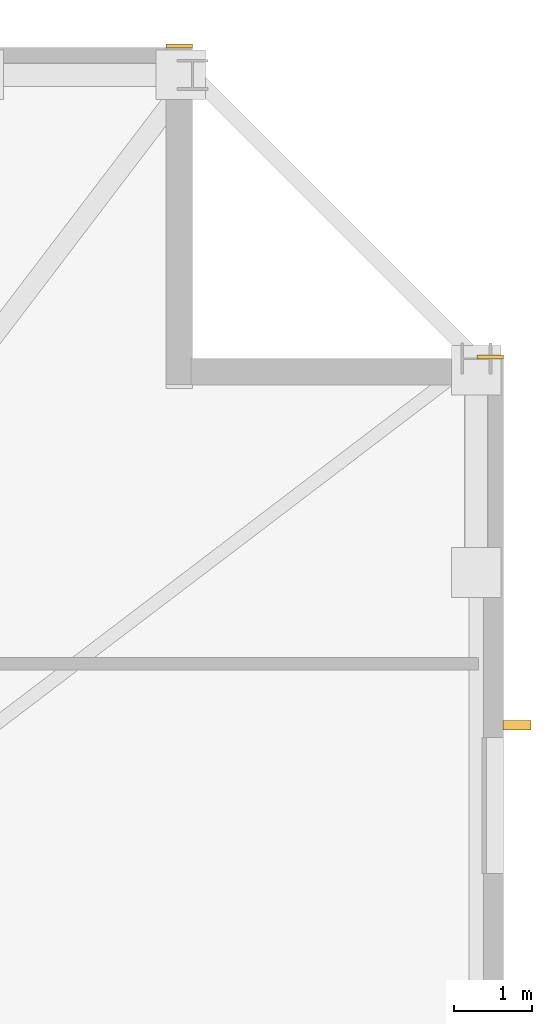
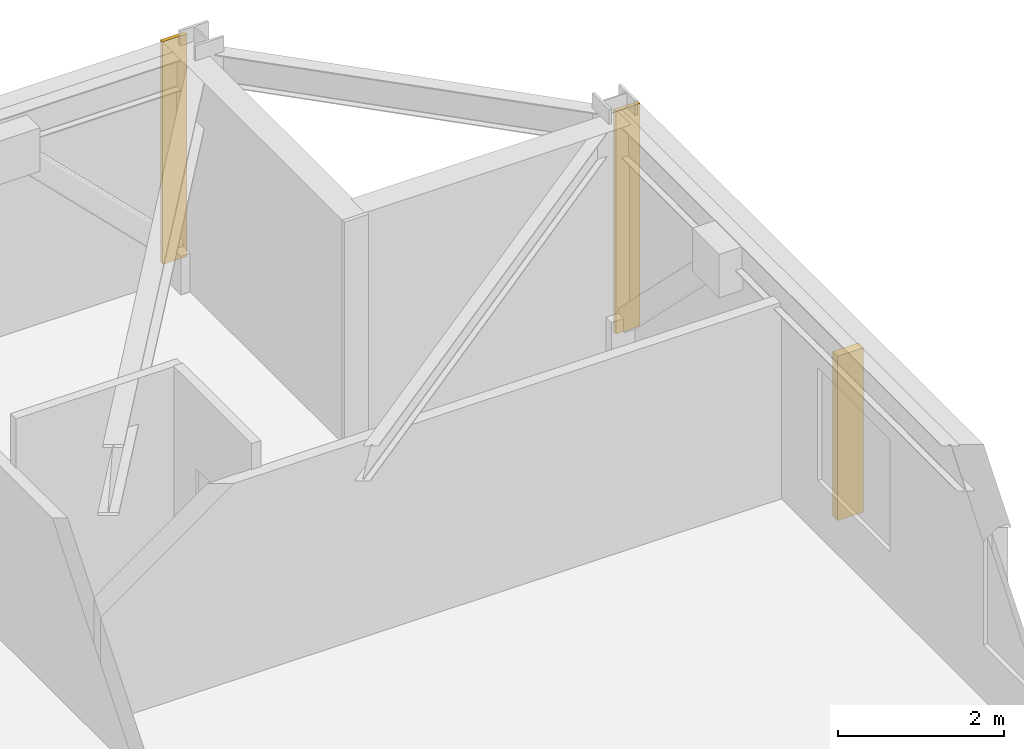
# One storey, part 11 of 11: 2 coverings, 1 shading device.
"""IFC4 building model written with IfcOpenShell, lengths in metres."""

from ifc_helpers import new_model, si_unit, direction, frame, frame_2d, origin, origin_2d, place, context, subcontext, project, spatial, rectangle, extrude, material, layer, layer_set, type_object, element, save


model = new_model("IFC4")

# Units and contexts
model_context = context("Model", 3, precision=1e-05, world=origin(), true_north=direction((0.0, 1.0)))
body_context = subcontext(model_context, "Body", "Model", "MODEL_VIEW")
ifc_project = project(units=[si_unit("LENGTHUNIT", "METRE"), si_unit("AREAUNIT", "SQUARE_METRE"), si_unit("VOLUMEUNIT", "CUBIC_METRE"), si_unit("PLANEANGLEUNIT", "RADIAN"), si_unit("MASSUNIT", "GRAM", prefix="KILO")], contexts=[model_context])

# Site, building, storey
site_placement = place(None, origin())
site = spatial("IfcSite", under=ifc_project, at=site_placement, CompositionType="ELEMENT")
building_placement = place(site_placement, origin())
building = spatial("IfcBuilding", under=site, at=building_placement, Name="Cairnveth Concourse Tower", CompositionType="ELEMENT")
storey_placement = place(building_placement, frame((0.0, 0.0, 172.5)))
storey = spatial("IfcBuildingStorey", under=building, at=storey_placement, Name="L47", CompositionType="ELEMENT", Elevation=172.5)

# Coverings
ifc_material_1 = material(Name="Dressed Melbourne Bluestone Cladding", Category="masonry")
ifc_layer = layer(ifc_material_1, 0.050048828125)
ifc_layer_set = layer_set([ifc_layer], Name="Dressed Melbourne Bluestone Cladding")
covering_type = type_object("IfcCoveringType", Name="DRESSED BLUESTONE PLINTH CLADDING 50", PredefinedType="CLADDING", material=ifc_layer_set)
for number, where, z_axis, x_axis, name in (
    (1, (71.659912109375, 63.02001953125, 0.0), (0.0, 0.0, 1.0), (1.0, 0.0, 0.0), "Melbourne Bluestone Corner Quoin L47-701"),
    (2, (75.659912109375, 59.02001953125, 0.0), (0.0, 0.0, 1.0), (1.0, 0.0, 0.0), "Melbourne Bluestone Corner Quoin L47-703"),
):
    element("IfcCovering", number, at=place(storey_placement, frame(where, z_axis=z_axis, x_axis=x_axis)), inside=storey, type_object=covering_type, Name=name, PredefinedType="CLADDING", context=body_context, shape_type="SweptSolid", body=[
        extrude(rectangle(XDim=0.340087890625, YDim=0.050048828125, at=frame_2d((0.169921875, 0.0))), origin(), (0.0, 0.0, 1.0), 3.280029296875),
    ])

# Shading device
ifc_material_2 = material(Name="Architectural Bronze Anodised Aluminium 6063-T6", Category="aluminium")
shading_device_type = type_object("IfcShadingDeviceType", Name="GOTHIC BRONZE VERTICAL LANCET FIN", PredefinedType="USERDEFINED", material=ifc_material_2)
shading_device_placement = place(storey_placement, frame((76.175048828125, 54.286865234375, 0.030029296875), z_axis=(0.0, 0.0, 1.0), x_axis=(0.0, 1.0, 0.0)))
element("IfcShadingDevice", 3, at=shading_device_placement, inside=storey, type_object=shading_device_type, Name="Gothic Bronze Vertical Fin L47-12-1", ObjectType="VERTICAL FIN", PredefinedType="USERDEFINED", context=body_context, shape_type="SweptSolid", body=[
    extrude(rectangle(XDim=0.1201171875, YDim=0.360107421875, at=origin_2d()), origin(), (0.0, 0.0, 1.0), 2.419921875),
])

save(model, "model.ifc")
